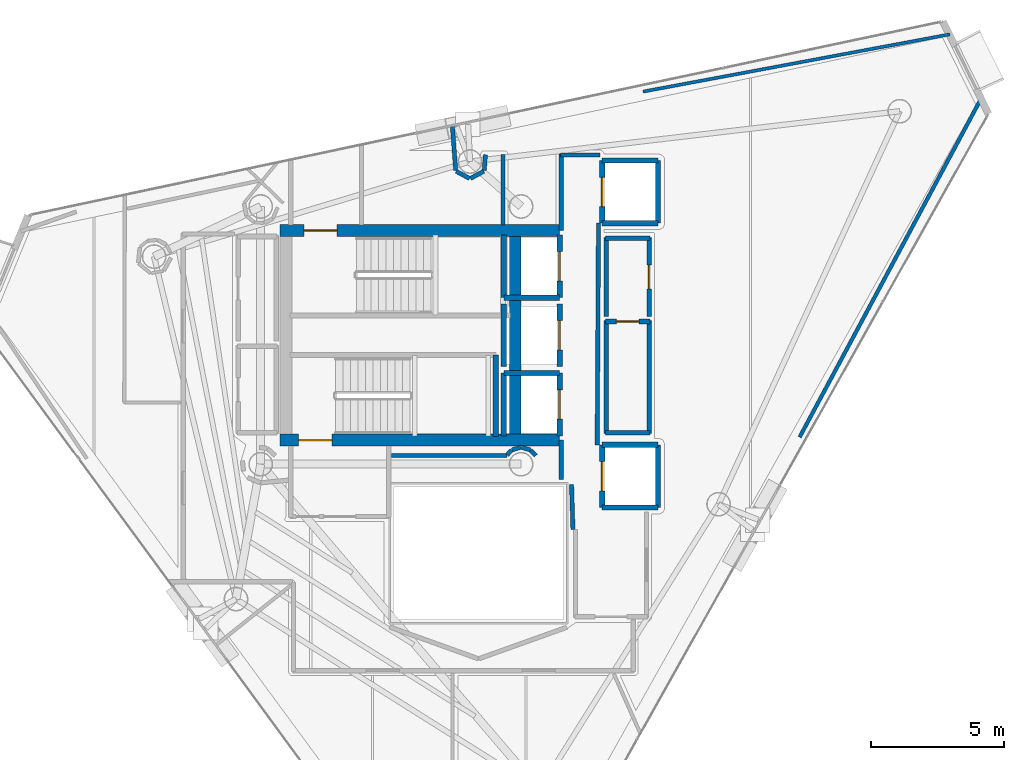
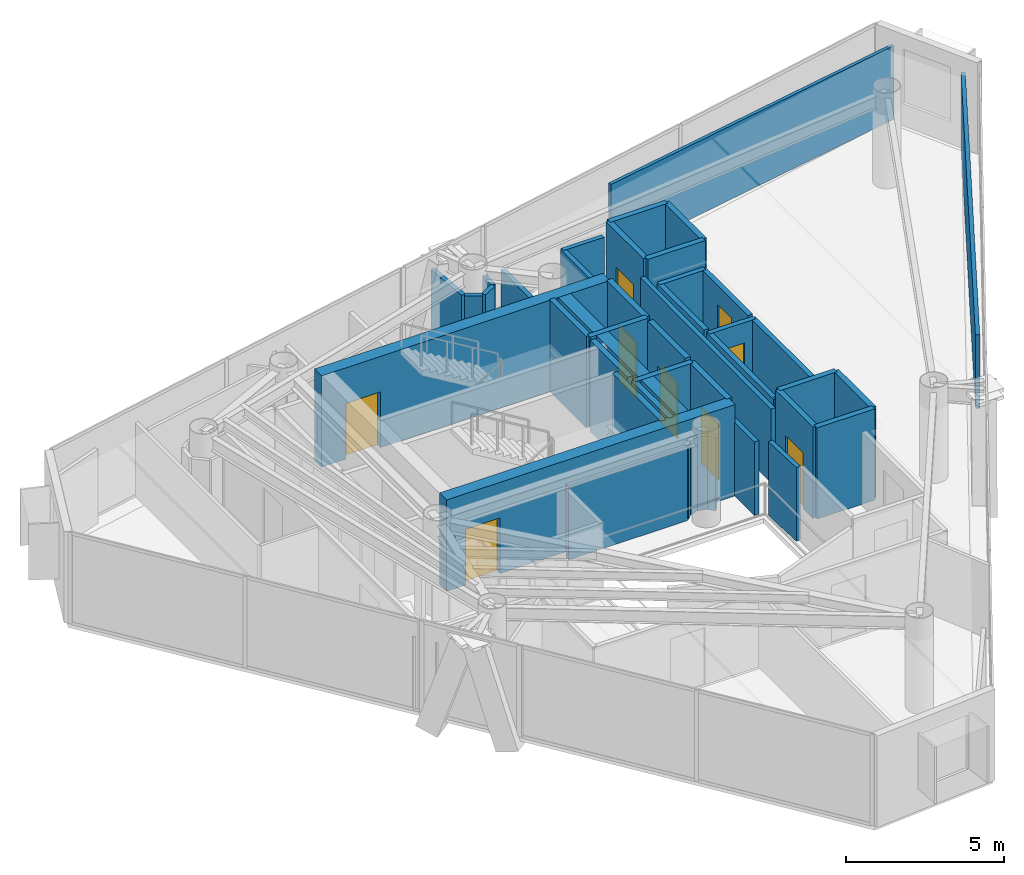
# One storey, part 18 of 21: 44 walls, 9 doors, 9 openings.
"""IFC4 building model written with IfcOpenShell, lengths in metres."""

from ifc_helpers import new_model, si_unit, direction, frame, frame_2d, origin, place, context, subcontext, project, spatial, rectangle, extrude, material, layer, layer_set, type_object, element, fill, save


model = new_model("IFC4")

# Units and contexts
model_context = context("Model", 3, precision=1e-05, world=origin(), true_north=direction((0.0, 1.0)))
body_context = subcontext(model_context, "Body", "Model", "MODEL_VIEW")
ifc_project = project(units=[si_unit("LENGTHUNIT", "METRE"), si_unit("AREAUNIT", "SQUARE_METRE"), si_unit("VOLUMEUNIT", "CUBIC_METRE"), si_unit("PLANEANGLEUNIT", "RADIAN"), si_unit("MASSUNIT", "GRAM", prefix="KILO")], contexts=[model_context])

# Site, building, storey
site_placement = place(None, origin())
site = spatial("IfcSite", under=ifc_project, at=site_placement, CompositionType="ELEMENT")
building_placement = place(site_placement, origin())
building = spatial("IfcBuilding", under=site, at=building_placement, Name="Qianvela Tower", CompositionType="ELEMENT")
storey_placement = place(building_placement, frame((0.0, 0.0, 302.800048828125)))
storey = spatial("IfcBuildingStorey", under=building, at=storey_placement, Name="L78", CompositionType="ELEMENT", Elevation=302.800048828125)

# Wall, opening, door
ifc_material_1 = material(Name="Concrete C50", Category="concrete")
ifc_layer_1 = layer(ifc_material_1, 0.449951171875)
ifc_layer_set_1 = layer_set([ifc_layer_1], Name="Concrete C50")
wall_type_1 = type_object("IfcWallType", Name="WT-CORE-450", PredefinedType="SHEAR", material=ifc_layer_set_1)
wall_1_placement = place(storey_placement, frame((29.330078125, 32.64501953125, 0.0), z_axis=(0.0, 0.0, 1.0), x_axis=(1.0, 0.0, 0.0)))
wall_1 = element("IfcWall", 1, at=wall_1_placement, inside=storey, type_object=wall_type_1, Name="L78 North Core Shear Wall", PredefinedType="SHEAR", context=body_context, shape_type="SweptSolid", body=[
    extrude(rectangle(XDim=10.52001953125, YDim=0.449951171875, at=frame_2d((5.260009765625, 0.0))), origin(), (0.0, 0.0, 1.0), 3.52001953125),
])
opening_1_placement = place(wall_1_placement, frame((0.89501953125, 0.0, 0.0)))
opening_1 = element("IfcOpeningElement", 2, at=opening_1_placement, cuts=wall_1, Name="Opening D-ST1", PredefinedType="OPENING", context=body_context, shape_type="SweptSolid", body=[
    extrude(rectangle(XDim=1.25, YDim=2.14990234375, at=frame_2d((0.625, 1.074951171875))), frame((0.0, 0.23486328125, 0.0), z_axis=(0.0, -1.0, 0.0), x_axis=(1.0, 0.0, 0.0)), (0.0, 0.0, 1.0), 0.469970703125),
])
ifc_material_2 = material(Name="Galvanised Fire Steel Q355B", Category="steel")
door_type_1 = type_object("IfcDoorType", Name="DT-STAIR-FD90", OperationType="NOTDEFINED", PredefinedType="DOOR", material=ifc_material_2)
door_1_placement = place(opening_1_placement, origin())
door_1 = element("IfcDoor", 3, at=door_1_placement, inside=storey, type_object=door_type_1, Name="L78 Stair ST-1 Exit Door", OperationType="SINGLE_SWING_RIGHT", OverallHeight=2.14990234375, OverallWidth=1.25, PredefinedType="DOOR", context=body_context, shape_type="SweptSolid", body=[
    extrude(rectangle(XDim=1.25, YDim=2.14990234375, at=frame_2d((0.625, 1.074951171875))), frame((0.0, 0.02490234375, 0.0), z_axis=(0.0, -1.0, 0.0), x_axis=(1.0, 0.0, 0.0)), (0.0, 0.0, 1.0), 0.050048828125),
])
fill(opening_1, door_1)

wall_2_placement = place(storey_placement, frame((29.330078125, 24.7548828125, 0.0), z_axis=(0.0, 0.0, 1.0), x_axis=(1.0, 0.0, 0.0)))
wall_2 = element("IfcWall", 4, at=wall_2_placement, inside=storey, type_object=wall_type_1, Name="L78 South Core Shear Wall", PredefinedType="SHEAR", context=body_context, shape_type="SweptSolid", body=[
    extrude(rectangle(XDim=10.52001953125, YDim=0.449951171875, at=frame_2d((5.260009765625, 0.0))), origin(), (0.0, 0.0, 1.0), 3.52001953125),
])
opening_2_placement = place(wall_2_placement, frame((0.695068359375, 0.0, 0.0)))
opening_2 = element("IfcOpeningElement", 5, at=opening_2_placement, cuts=wall_2, Name="Opening D-ST1", PredefinedType="OPENING", context=body_context, shape_type="SweptSolid", body=[
    extrude(rectangle(XDim=1.25, YDim=2.14990234375, at=frame_2d((0.625, 1.074951171875))), frame((0.0, 0.23486328125, 0.0), z_axis=(0.0, -1.0, 0.0), x_axis=(1.0, 0.0, 0.0)), (0.0, 0.0, 1.0), 0.469970703125),
])
door_2_placement = place(opening_2_placement, origin())
door_2 = element("IfcDoor", 6, at=door_2_placement, inside=storey, type_object=door_type_1, Name="L78 Stair ST-2 Exit Door", OperationType="SINGLE_SWING_RIGHT", OverallHeight=2.14990234375, OverallWidth=1.25, PredefinedType="DOOR", context=body_context, shape_type="SweptSolid", body=[
    extrude(rectangle(XDim=1.25, YDim=2.14990234375, at=frame_2d((0.625, 1.074951171875))), frame((0.0, 0.02490234375, 0.0), z_axis=(0.0, -1.0, 0.0), x_axis=(1.0, 0.0, 0.0)), (0.0, 0.0, 1.0), 0.050048828125),
])
fill(opening_2, door_2)

# Walls
wall_3_placement = place(storey_placement, frame((38.179931640625, 24.97998046875, 0.0), z_axis=(0.0, 0.0, 1.0), x_axis=(0.0, 1.0, 0.0)))
element("IfcWall", 7, at=wall_3_placement, inside=storey, type_object=wall_type_1, Name="L78 East Spine Core Shear Wall", PredefinedType="SHEAR", context=body_context, shape_type="SweptSolid", body=[
    extrude(rectangle(XDim=7.43994140625, YDim=0.449951171875, at=frame_2d((3.719970703125, 0.0))), origin(), (0.0, 0.0, 1.0), 3.52001953125),
])
ifc_material_3 = material(Name="Fire-Rated Gypsum and Concrete Block", Category="concrete")
ifc_layer_2 = layer(ifc_material_3, 0.159912109375)
ifc_layer_set_2 = layer_set([ifc_layer_2], Name="Fire-Rated Gypsum and Concrete Block")
wall_type_2 = type_object("IfcWallType", Name="WT-CORR-160", PredefinedType="PARTITIONING", material=ifc_layer_set_2)
wall_4_placement = place(storey_placement, frame((40.35107421875, 21.40087890625, 0.0), z_axis=(0.0, 0.0, 1.0), x_axis=(-0.031058045979, 0.999517582527, 0.0)))
element("IfcWall", 8, at=wall_4_placement, inside=storey, type_object=wall_type_2, Name="L78 Partition 10", PredefinedType="PARTITIONING", context=body_context, shape_type="SweptSolid", body=[
    extrude(rectangle(XDim=1.68212890625, YDim=0.159912109375, at=frame_2d((0.841064453125, 0.0))), origin(), (0.0, 0.0, 1.0), 2.83984375),
])
wall_5_placement = place(storey_placement, frame((39.910888671875, 23.280029296875, 0.0), z_axis=(0.0, 0.0, 1.0), x_axis=(0.0, 1.0, 0.0)))
element("IfcWall", 9, at=wall_5_placement, inside=storey, type_object=wall_type_2, Name="L78 Partition 11", PredefinedType="PARTITIONING", context=body_context, shape_type="SweptSolid", body=[
    extrude(rectangle(XDim=1.47998046875, YDim=0.159912109375, at=frame_2d((0.739990234375, 0.0))), origin(), (0.0, 0.0, 1.0), 2.83984375),
])
wall_6_placement = place(storey_placement, frame((39.910888671875, 32.639892578125, 0.0), z_axis=(0.0, 0.0, 1.0), x_axis=(0.0, 1.0, 0.0)))
element("IfcWall", 10, at=wall_6_placement, inside=storey, type_object=wall_type_2, Name="L78 Partition 13", PredefinedType="PARTITIONING", context=body_context, shape_type="SweptSolid", body=[
    extrude(rectangle(XDim=2.880126953125, YDim=0.159912109375, at=frame_2d((1.43994140625, 0.0))), origin(), (0.0, 0.0, 1.0), 2.83984375),
])
wall_7_placement = place(storey_placement, frame((39.8798828125, 35.489013671875, 0.0), z_axis=(0.0, 0.0, 1.0), x_axis=(1.0, 0.0, 0.0)))
element("IfcWall", 11, at=wall_7_placement, inside=storey, type_object=wall_type_2, Name="L78 Partition 14", PredefinedType="PARTITIONING", context=body_context, shape_type="SweptSolid", body=[
    extrude(rectangle(XDim=1.480224609375, YDim=0.159912109375, at=frame_2d((0.740234375, 0.0))), origin(), (0.0, 0.0, 1.0), 2.83984375),
])
wall_8_placement = place(storey_placement, frame((41.3134765625, 32.919921875, 0.0), z_axis=(0.0, 0.0, 1.0), x_axis=(-0.005942518022, -0.999982343084, 0.0)))
element("IfcWall", 12, at=wall_8_placement, inside=storey, type_object=wall_type_2, Name="L78 Partition 15 seg 2", PredefinedType="PARTITIONING", context=body_context, shape_type="SweptSolid", body=[
    extrude(rectangle(XDim=8.340087890625, YDim=0.159912109375, at=frame_2d((4.169921875, 0.0))), origin(), (0.0, 0.0, 1.0), 2.83984375),
])
wall_9_placement = place(storey_placement, frame((38.950927734375, 24.1708984375, 0.0), z_axis=(0.0, 0.0, 1.0), x_axis=(-0.674186852077, 0.738560822469, 0.0)))
element("IfcWall", 13, at=wall_9_placement, inside=storey, type_object=wall_type_2, Name="L78 Partition 38", PredefinedType="PARTITIONING", context=body_context, shape_type="SweptSolid", body=[
    extrude(rectangle(XDim=0.28076171875, YDim=0.159912109375, at=frame_2d((0.140380859375, 0.0))), origin(), (0.0, 0.0, 1.0), 2.83984375),
])
wall_10_placement = place(storey_placement, frame((38.747802734375, 24.386962890625, 0.0), z_axis=(0.0, 0.0, 1.0), x_axis=(-0.956948991291, 0.290256142171, 0.0)))
element("IfcWall", 14, at=wall_10_placement, inside=storey, type_object=wall_type_2, Name="L78 Partition 39", PredefinedType="PARTITIONING", context=body_context, shape_type="SweptSolid", body=[
    extrude(rectangle(XDim=0.35400390625, YDim=0.159912109375, at=frame_2d((0.177001953125, 0.0))), origin(), (0.0, 0.0, 1.0), 2.83984375),
])
wall_11_placement = place(storey_placement, frame((38.39111328125, 24.48974609375, 0.0), z_axis=(0.0, 0.0, 1.0), x_axis=(-0.957007018611, -0.290064762301, 0.0)))
element("IfcWall", 15, at=wall_11_placement, inside=storey, type_object=wall_type_2, Name="L78 Partition 40", PredefinedType="PARTITIONING", context=body_context, shape_type="SweptSolid", body=[
    extrude(rectangle(XDim=0.354248046875, YDim=0.159912109375, at=frame_2d((0.17724609375, 0.0))), origin(), (0.0, 0.0, 1.0), 2.83984375),
])
wall_12_placement = place(storey_placement, frame((38.0380859375, 24.378173828125, 0.0), z_axis=(0.0, 0.0, 1.0), x_axis=(-0.673658387955, -0.739042878551, 0.0)))
element("IfcWall", 16, at=wall_12_placement, inside=storey, type_object=wall_type_2, Name="L78 Partition 41", PredefinedType="PARTITIONING", context=body_context, shape_type="SweptSolid", body=[
    extrude(rectangle(XDim=0.246337890625, YDim=0.159912109375, at=frame_2d((0.123046875, 0.0))), origin(), (0.0, 0.0, 1.0), 2.83984375),
])
wall_13_placement = place(storey_placement, frame((37.8720703125, 24.180908203125, 0.0), z_axis=(0.0, 0.0, 1.0), x_axis=(-1.0, 0.0, 0.0)))
element("IfcWall", 17, at=wall_13_placement, inside=storey, type_object=wall_type_2, Name="L78 Partition 42", PredefinedType="PARTITIONING", context=body_context, shape_type="SweptSolid", body=[
    extrude(rectangle(XDim=4.342041015625, YDim=0.159912109375, at=frame_2d((2.1708984375, 0.0))), origin(), (0.0, 0.0, 1.0), 2.83984375),
])
wall_14_placement = place(storey_placement, frame((35.811767578125, 36.617919921875, 0.0), z_axis=(0.0, 0.0, 1.0), x_axis=(0.073354271493, -0.997305946465, 0.0)))
element("IfcWall", 18, at=wall_14_placement, inside=storey, type_object=wall_type_2, Name="L78 Partition 57", PredefinedType="PARTITIONING", context=body_context, shape_type="SweptSolid", body=[
    extrude(rectangle(XDim=1.720703125, YDim=0.159912109375, at=frame_2d((0.8603515625, 0.0))), origin(), (0.0, 0.0, 1.0), 2.83984375),
])
for number, where, z_axis, x_axis, name in (
    (19, (35.9541015625, 34.876708984375, 0.0), (0.0, 0.0, 1.0), (0.882047254832, -0.471160949405, 0.0), "L78 Partition 58"),
    (20, (36.490478515625, 34.605712890625, 0.0), (0.0, 0.0, 1.0), (0.882047254832, 0.471160949405, 0.0), "L78 Partition 59"),
):
    element("IfcWall", number, at=place(storey_placement, frame(where, z_axis=z_axis, x_axis=x_axis)), inside=storey, type_object=wall_type_2, Name=name, PredefinedType="PARTITIONING", context=body_context, shape_type="SweptSolid", body=[
        extrude(rectangle(XDim=0.5751953125, YDim=0.159912109375, at=frame_2d((0.28759765625, 0.0))), origin(), (0.0, 0.0, 1.0), 2.83984375),
    ])
wall_15_placement = place(storey_placement, frame((37.01416015625, 34.90185546875, 0.0), z_axis=(0.0, 0.0, 1.0), x_axis=(0.073134230676, 0.997322106595, 0.0)))
element("IfcWall", 21, at=wall_15_placement, inside=storey, type_object=wall_type_2, Name="L78 Partition 60", PredefinedType="PARTITIONING", context=body_context, shape_type="SweptSolid", body=[
    extrude(rectangle(XDim=0.59765625, YDim=0.159912109375, at=frame_2d((0.298828125, 0.0))), origin(), (0.0, 0.0, 1.0), 2.83984375),
])
wall_16_placement = place(storey_placement, frame((37.718994140625, 35.5, 0.0), z_axis=(0.0, 0.0, 1.0), x_axis=(0.0, -1.0, 0.0)))
element("IfcWall", 22, at=wall_16_placement, inside=storey, type_object=wall_type_2, Name="L78 Partition 62", PredefinedType="PARTITIONING", context=body_context, shape_type="SweptSolid", body=[
    extrude(rectangle(XDim=2.64208984375, YDim=0.159912109375, at=frame_2d((1.321044921875, 0.0))), origin(), (0.0, 0.0, 1.0), 2.83984375),
])
ifc_material_4 = material(Name="Insulated Gypsum Stud Partition")
ifc_layer_3 = layer(ifc_material_4, 0.1201171875)
ifc_layer_set_3 = layer_set([ifc_layer_3], Name="Insulated Gypsum Stud Partition")
wall_type_3 = type_object("IfcWallType", Name="WT-PART-120", PredefinedType="PARTITIONING", material=ifc_layer_set_3)
wall_17_placement = place(storey_placement, frame((42.98974609375, 37.873779296875, 0.0), z_axis=(0.0, 0.0, 1.0), x_axis=(0.98302594639, 0.183466587487, 0.0)))
element("IfcWall", 23, at=wall_17_placement, inside=storey, type_object=wall_type_3, Name="L78 Partition 114 seg 2", PredefinedType="PARTITIONING", context=body_context, shape_type="SweptSolid", body=[
    extrude(rectangle(XDim=11.74755859375, YDim=0.1201171875, at=frame_2d((5.873779296875, 0.0))), origin(), (0.0, 0.0, 1.0), 2.83984375),
])
ifc_material_5 = material(Name="Moisture-Resistant Acoustic Plumbing Wall")
ifc_layer_4 = layer(ifc_material_5, 0.175048828125)
ifc_layer_set_4 = layer_set([ifc_layer_4], Name="Moisture-Resistant Acoustic Plumbing Wall")
wall_type_4 = type_object("IfcWallType", Name="WT-PLUMB-175", PredefinedType="PLUMBINGWALL", material=ifc_layer_set_4)
wall_18_placement = place(storey_placement, frame((43.25, 25.031005859375, 0.0), z_axis=(0.0, 0.0, 1.0), x_axis=(-1.0, 0.0, 0.0)))
element("IfcWall", 24, at=wall_18_placement, inside=storey, type_object=wall_type_4, Name="L78 Partition 20", PredefinedType="PLUMBINGWALL", context=body_context, shape_type="SweptSolid", body=[
    extrude(rectangle(XDim=1.669921875, YDim=0.175048828125, at=frame_2d((0.8349609375, 0.0))), origin(), (0.0, 0.0, 1.0), 2.83984375),
])
wall_19_placement = place(storey_placement, frame((41.611083984375, 25.0, 0.0), z_axis=(0.0, 0.0, 1.0), x_axis=(0.0, 1.0, 0.0)))
element("IfcWall", 25, at=wall_19_placement, inside=storey, type_object=wall_type_4, Name="L78 Partition 21", PredefinedType="PLUMBINGWALL", context=body_context, shape_type="SweptSolid", body=[
    extrude(rectangle(XDim=4.25, YDim=0.175048828125, at=frame_2d((2.125, 0.0))), origin(), (0.0, 0.0, 1.0), 2.83984375),
])

# Wall, opening, door
wall_20_placement = place(storey_placement, frame((41.580078125, 29.218994140625, 0.0), z_axis=(0.0, 0.0, 1.0), x_axis=(1.0, 0.0, 0.0)))
wall_20 = element("IfcWall", 26, at=wall_20_placement, inside=storey, type_object=wall_type_4, Name="L78 Partition 22", PredefinedType="PLUMBINGWALL", context=body_context, shape_type="SweptSolid", body=[
    extrude(rectangle(XDim=1.669921875, YDim=0.175048828125, at=frame_2d((0.8349609375, 0.0))), origin(), (0.0, 0.0, 1.0), 2.83984375),
])
opening_3_placement = place(wall_20_placement, frame((0.405029296875, 0.0, 0.0)))
opening_3 = element("IfcOpeningElement", 27, at=opening_3_placement, cuts=wall_20, Name="Opening D-WC1", PredefinedType="OPENING", context=body_context, shape_type="SweptSolid", body=[
    extrude(rectangle(XDim=0.860107421875, YDim=2.050048828125, at=frame_2d((0.43017578125, 1.02490234375))), frame((0.0, 0.097412109375, 0.0), z_axis=(0.0, -1.0, 0.0), x_axis=(1.0, 0.0, 0.0)), (0.0, 0.0, 1.0), 0.195068359375),
])
ifc_material_6 = material(Name="Moisture-Sealed Acoustic Timber Door", Category="wood")
door_type_2 = type_object("IfcDoorType", Name="DT-WC-860", OperationType="NOTDEFINED", PredefinedType="DOOR", material=ifc_material_6)
door_3_placement = place(opening_3_placement, origin())
door_3 = element("IfcDoor", 28, at=door_3_placement, inside=storey, type_object=door_type_2, Name="L78 Door L78 Accessible WC to L78 Shared Tea Pantry East", OperationType="SINGLE_SWING_LEFT", OverallHeight=2.050048828125, OverallWidth=0.860107421875, PredefinedType="DOOR", context=body_context, shape_type="SweptSolid", body=[
    extrude(rectangle(XDim=0.860107421875, YDim=2.050048828125, at=frame_2d((0.43017578125, 1.02490234375))), frame((0.0, 0.02490234375, 0.0), z_axis=(0.0, -1.0, 0.0), x_axis=(1.0, 0.0, 0.0)), (0.0, 0.0, 1.0), 0.050048828125),
])
fill(opening_3, door_3)

# Walls
wall_21_placement = place(storey_placement, frame((43.218994140625, 29.25, 0.0), z_axis=(0.0, 0.0, 1.0), x_axis=(0.0, -1.0, 0.0)))
element("IfcWall", 29, at=wall_21_placement, inside=storey, type_object=wall_type_4, Name="L78 Partition 23", PredefinedType="PLUMBINGWALL", context=body_context, shape_type="SweptSolid", body=[
    extrude(rectangle(XDim=4.25, YDim=0.175048828125, at=frame_2d((2.125, 0.0))), origin(), (0.0, 0.0, 1.0), 2.83984375),
])
wall_22_placement = place(storey_placement, frame((41.611083984375, 29.409912109375, 0.0), z_axis=(0.0, 0.0, 1.0), x_axis=(0.0, 1.0, 0.0)))
element("IfcWall", 30, at=wall_22_placement, inside=storey, type_object=wall_type_4, Name="L78 Partition 25", PredefinedType="PLUMBINGWALL", context=body_context, shape_type="SweptSolid", body=[
    extrude(rectangle(XDim=2.969970703125, YDim=0.175048828125, at=frame_2d((1.48486328125, 0.0))), origin(), (0.0, 0.0, 1.0), 2.83984375),
])
wall_23_placement = place(storey_placement, frame((41.580078125, 32.34912109375, 0.0), z_axis=(0.0, 0.0, 1.0), x_axis=(1.0, 0.0, 0.0)))
element("IfcWall", 31, at=wall_23_placement, inside=storey, type_object=wall_type_4, Name="L78 Partition 26", PredefinedType="PLUMBINGWALL", context=body_context, shape_type="SweptSolid", body=[
    extrude(rectangle(XDim=1.669921875, YDim=0.175048828125, at=frame_2d((0.8349609375, 0.0))), origin(), (0.0, 0.0, 1.0), 2.83984375),
])

# Wall, opening, door
wall_24_placement = place(storey_placement, frame((43.218994140625, 32.3798828125, 0.0), z_axis=(0.0, 0.0, 1.0), x_axis=(0.0, -1.0, 0.0)))
wall_24 = element("IfcWall", 32, at=wall_24_placement, inside=storey, type_object=wall_type_4, Name="L78 Partition 27", PredefinedType="PLUMBINGWALL", context=body_context, shape_type="SweptSolid", body=[
    extrude(rectangle(XDim=2.969970703125, YDim=0.175048828125, at=frame_2d((1.48486328125, 0.0))), origin(), (0.0, 0.0, 1.0), 2.83984375),
])
opening_4_placement = place(wall_24_placement, frame((1.034912109375, 0.0, 0.0)))
opening_4 = element("IfcOpeningElement", 33, at=opening_4_placement, cuts=wall_24, Name="Opening D-KT1", PredefinedType="OPENING", context=body_context, shape_type="SweptSolid", body=[
    extrude(rectangle(XDim=0.89990234375, YDim=2.10009765625, at=frame_2d((0.449951171875, 1.050048828125))), frame((0.0, 0.097412109375, 0.0), z_axis=(0.0, -1.0, 0.0), x_axis=(1.0, 0.0, 0.0)), (0.0, 0.0, 1.0), 0.195068359375),
])
ifc_material_7 = material(Name="Glazed Timber Kitchen Door", Category="wood")
door_type_3 = type_object("IfcDoorType", Name="DT-KITCH-900", OperationType="NOTDEFINED", PredefinedType="DOOR", material=ifc_material_7)
door_4_placement = place(opening_4_placement, origin())
door_4 = element("IfcDoor", 34, at=door_4_placement, inside=storey, type_object=door_type_3, Name="L78 Door L78 Shared Tea Pantry East to Quiet Reading Study L78-04", OperationType="SINGLE_SWING_RIGHT", OverallHeight=2.10009765625, OverallWidth=0.89990234375, PredefinedType="DOOR", context=body_context, shape_type="SweptSolid", body=[
    extrude(rectangle(XDim=0.89990234375, YDim=2.10009765625, at=frame_2d((0.449951171875, 1.050048828125))), frame((0.0, 0.02490234375, 0.0), z_axis=(0.0, -1.0, 0.0), x_axis=(1.0, 0.0, 0.0)), (0.0, 0.0, 1.0), 0.050048828125),
])
fill(opening_4, door_4)

# Walls
ifc_material_8 = material(Name="Acoustic Double Gypsum Stud Partition")
ifc_layer_5 = layer(ifc_material_8, 0.139892578125)
ifc_layer_set_5 = layer_set([ifc_layer_5], Name="Acoustic Double Gypsum Stud Partition")
wall_type_5 = type_object("IfcWallType", Name="WT-ROOM-140", PredefinedType="PARTITIONING", material=ifc_layer_set_5)
wall_25_placement = place(storey_placement, frame((55.7216796875, 37.627197265625, 0.0), z_axis=(0.0, 0.0, 1.0), x_axis=(-0.472471777072, -0.881345800393, 0.0)))
element("IfcWall", 35, at=wall_25_placement, inside=storey, type_object=wall_type_5, Name="L78 Partition 116 seg 1", PredefinedType="PARTITIONING", context=body_context, shape_type="SweptSolid", body=[
    extrude(rectangle(XDim=14.476318359375, YDim=0.139892578125, at=frame_2d((7.23828125, 0.0))), origin(), (0.0, 0.0, 1.0), 2.83984375),
])
ifc_material_9 = material(Name="Concrete C50", Category="concrete")
ifc_layer_6 = layer(ifc_material_9, 0.199951171875)
ifc_layer_set_6 = layer_set([ifc_layer_6], Name="Concrete C50")
wall_type_6 = type_object("IfcWallType", Name="WT-SHAFT-200", PredefinedType="SOLIDWALL", material=ifc_layer_set_6)
wall_26_placement = place(storey_placement, frame((37.449951171875, 24.89990234375, 0.0), z_axis=(0.0, 0.0, 1.0), x_axis=(0.0, 1.0, 0.0)))
element("IfcWall", 36, at=wall_26_placement, inside=storey, type_object=wall_type_6, Name="L78 Stair ST-2 East Wall", PredefinedType="SOLIDWALL", context=body_context, shape_type="SweptSolid", body=[
    extrude(rectangle(XDim=3.06005859375, YDim=0.199951171875, at=frame_2d((1.530029296875, 0.0))), origin(), (0.0, 0.0, 1.0), 3.52001953125),
])

# Wall, opening, door
wall_27_placement = place(storey_placement, frame((39.85009765625, 30.1201171875, 0.0), z_axis=(0.0, 0.0, 1.0), x_axis=(0.0, 1.0, 0.0)))
wall_27 = element("IfcWall", 37, at=wall_27_placement, inside=storey, type_object=wall_type_6, Name="L78 Lift FL-1 E Shaft Wall", PredefinedType="SOLIDWALL", context=body_context, shape_type="SweptSolid", body=[
    extrude(rectangle(XDim=2.35986328125, YDim=0.199951171875, at=frame_2d((1.179931640625, 0.0))), origin(), (0.0, 0.0, 1.0), 3.52001953125),
])
opening_5_placement = place(wall_27_placement, frame((0.6298828125, 0.0, 0.0)))
opening_5 = element("IfcOpeningElement", 38, at=opening_5_placement, cuts=wall_27, Name="Opening LD-01", PredefinedType="OPENING", context=body_context, shape_type="SweptSolid", body=[
    extrude(rectangle(XDim=1.10009765625, YDim=2.14990234375, at=frame_2d((0.550048828125, 1.074951171875))), frame((0.0, 0.10986328125, 0.0), z_axis=(0.0, -1.0, 0.0), x_axis=(1.0, 0.0, 0.0)), (0.0, 0.0, 1.0), 0.219970703125),
])
ifc_material_10 = material(Name="Brushed Stainless Steel Lift Landing Door", Category="steel")
door_type_4 = type_object("IfcDoorType", Name="DT-LIFT-SLIDE-1100", OperationType="SLIDING_TO_LEFT", PredefinedType="DOOR", material=ifc_material_10)
door_5_placement = place(opening_5_placement, origin())
door_5 = element("IfcDoor", 39, at=door_5_placement, inside=storey, type_object=door_type_4, Name="L78 Lift FL-1 Sliding Landing Door", OperationType="SLIDING_TO_LEFT", OverallHeight=2.14990234375, OverallWidth=1.10009765625, PredefinedType="DOOR", context=body_context, shape_type="SweptSolid", body=[
    extrude(rectangle(XDim=1.10009765625, YDim=2.14990234375, at=frame_2d((0.550048828125, 1.074951171875))), frame((0.0, 0.02490234375, 0.0), z_axis=(0.0, -1.0, 0.0), x_axis=(1.0, 0.0, 0.0)), (0.0, 0.0, 1.0), 0.050048828125),
])
fill(opening_5, door_5)

# Walls
wall_28_placement = place(storey_placement, frame((37.75, 30.1201171875, 0.0), z_axis=(0.0, 0.0, 1.0), x_axis=(0.0, 1.0, 0.0)))
element("IfcWall", 40, at=wall_28_placement, inside=storey, type_object=wall_type_6, Name="L78 Lift FL-1 W Shaft Wall", PredefinedType="SOLIDWALL", context=body_context, shape_type="SweptSolid", body=[
    extrude(rectangle(XDim=2.35986328125, YDim=0.199951171875, at=frame_2d((1.179931640625, 0.0))), origin(), (0.0, 0.0, 1.0), 3.52001953125),
])
wall_29_placement = place(storey_placement, frame((37.75, 30.1201171875, 0.0), z_axis=(0.0, 0.0, 1.0), x_axis=(1.0, 0.0, 0.0)))
element("IfcWall", 41, at=wall_29_placement, inside=storey, type_object=wall_type_6, Name="L78 Lift FL-1 S Shaft Wall", PredefinedType="SOLIDWALL", context=body_context, shape_type="SweptSolid", body=[
    extrude(rectangle(XDim=2.10009765625, YDim=0.199951171875, at=frame_2d((1.050048828125, 0.0))), origin(), (0.0, 0.0, 1.0), 3.52001953125),
])

# Wall, opening, door
wall_30_placement = place(storey_placement, frame((39.85009765625, 24.919921875, 0.0), z_axis=(0.0, 0.0, 1.0), x_axis=(0.0, 1.0, 0.0)))
wall_30 = element("IfcWall", 42, at=wall_30_placement, inside=storey, type_object=wall_type_6, Name="L78 Lift FL-2 E Shaft Wall", PredefinedType="SOLIDWALL", context=body_context, shape_type="SweptSolid", body=[
    extrude(rectangle(XDim=2.360107421875, YDim=0.199951171875, at=frame_2d((1.18017578125, 0.0))), origin(), (0.0, 0.0, 1.0), 3.52001953125),
])
opening_6_placement = place(wall_30_placement, frame((0.6298828125, 0.0, 0.0)))
opening_6 = element("IfcOpeningElement", 43, at=opening_6_placement, cuts=wall_30, Name="Opening LD-01", PredefinedType="OPENING", context=body_context, shape_type="SweptSolid", body=[
    extrude(rectangle(XDim=1.10009765625, YDim=2.14990234375, at=frame_2d((0.550048828125, 1.074951171875))), frame((0.0, 0.10986328125, 0.0), z_axis=(0.0, -1.0, 0.0), x_axis=(1.0, 0.0, 0.0)), (0.0, 0.0, 1.0), 0.219970703125),
])
door_6_placement = place(opening_6_placement, origin())
door_6 = element("IfcDoor", 44, at=door_6_placement, inside=storey, type_object=door_type_4, Name="L78 Lift FL-2 Sliding Landing Door", OperationType="SLIDING_TO_LEFT", OverallHeight=2.14990234375, OverallWidth=1.10009765625, PredefinedType="DOOR", context=body_context, shape_type="SweptSolid", body=[
    extrude(rectangle(XDim=1.10009765625, YDim=2.14990234375, at=frame_2d((0.550048828125, 1.074951171875))), frame((0.0, 0.02490234375, 0.0), z_axis=(0.0, -1.0, 0.0), x_axis=(1.0, 0.0, 0.0)), (0.0, 0.0, 1.0), 0.050048828125),
])
fill(opening_6, door_6)

# Walls
wall_31_placement = place(storey_placement, frame((37.75, 24.919921875, 0.0), z_axis=(0.0, 0.0, 1.0), x_axis=(0.0, 1.0, 0.0)))
element("IfcWall", 45, at=wall_31_placement, inside=storey, type_object=wall_type_6, Name="L78 Lift FL-2 W Shaft Wall", PredefinedType="SOLIDWALL", context=body_context, shape_type="SweptSolid", body=[
    extrude(rectangle(XDim=2.360107421875, YDim=0.199951171875, at=frame_2d((1.18017578125, 0.0))), origin(), (0.0, 0.0, 1.0), 3.52001953125),
])
wall_32_placement = place(storey_placement, frame((37.75, 27.280029296875, 0.0), z_axis=(0.0, 0.0, 1.0), x_axis=(1.0, 0.0, 0.0)))
element("IfcWall", 46, at=wall_32_placement, inside=storey, type_object=wall_type_6, Name="L78 Lift FL-2 N Shaft Wall", PredefinedType="SOLIDWALL", context=body_context, shape_type="SweptSolid", body=[
    extrude(rectangle(XDim=2.10009765625, YDim=0.199951171875, at=frame_2d((1.050048828125, 0.0))), origin(), (0.0, 0.0, 1.0), 3.52001953125),
])

# Wall, opening, door
wall_33_placement = place(storey_placement, frame((39.85009765625, 27.52001953125, 0.0), z_axis=(0.0, 0.0, 1.0), x_axis=(0.0, 1.0, 0.0)))
wall_33 = element("IfcWall", 47, at=wall_33_placement, inside=storey, type_object=wall_type_6, Name="L78 Lift PL-H1 E Shaft Wall", PredefinedType="SOLIDWALL", context=body_context, shape_type="SweptSolid", body=[
    extrude(rectangle(XDim=2.35986328125, YDim=0.199951171875, at=frame_2d((1.179931640625, 0.0))), origin(), (0.0, 0.0, 1.0), 3.52001953125),
])
opening_7_placement = place(wall_33_placement, frame((0.6298828125, 0.0, 0.0)))
opening_7 = element("IfcOpeningElement", 48, at=opening_7_placement, cuts=wall_33, Name="Opening LD-01", PredefinedType="OPENING", context=body_context, shape_type="SweptSolid", body=[
    extrude(rectangle(XDim=1.10009765625, YDim=2.14990234375, at=frame_2d((0.550048828125, 1.074951171875))), frame((0.0, 0.10986328125, 0.0), z_axis=(0.0, -1.0, 0.0), x_axis=(1.0, 0.0, 0.0)), (0.0, 0.0, 1.0), 0.219970703125),
])
door_7_placement = place(opening_7_placement, origin())
door_7 = element("IfcDoor", 49, at=door_7_placement, inside=storey, type_object=door_type_4, Name="L78 Lift PL-H1 Sliding Landing Door", OperationType="SLIDING_TO_LEFT", OverallHeight=2.14990234375, OverallWidth=1.10009765625, PredefinedType="DOOR", context=body_context, shape_type="SweptSolid", body=[
    extrude(rectangle(XDim=1.10009765625, YDim=2.14990234375, at=frame_2d((0.550048828125, 1.074951171875))), frame((0.0, 0.02490234375, 0.0), z_axis=(0.0, -1.0, 0.0), x_axis=(1.0, 0.0, 0.0)), (0.0, 0.0, 1.0), 0.050048828125),
])
fill(opening_7, door_7)

# Walls
wall_34_placement = place(storey_placement, frame((37.75, 27.52001953125, 0.0), z_axis=(0.0, 0.0, 1.0), x_axis=(0.0, 1.0, 0.0)))
element("IfcWall", 50, at=wall_34_placement, inside=storey, type_object=wall_type_6, Name="L78 Lift PL-H1 W Shaft Wall", PredefinedType="SOLIDWALL", context=body_context, shape_type="SweptSolid", body=[
    extrude(rectangle(XDim=2.35986328125, YDim=0.199951171875, at=frame_2d((1.179931640625, 0.0))), origin(), (0.0, 0.0, 1.0), 3.52001953125),
])
wall_35_placement = place(storey_placement, frame((43.550048828125, 22.219970703125, 0.0), z_axis=(0.0, 0.0, 1.0), x_axis=(0.0, 1.0, 0.0)))
element("IfcWall", 51, at=wall_35_placement, inside=storey, type_object=wall_type_6, Name="L78 Lift PL-H2 E Shaft Wall", PredefinedType="SOLIDWALL", context=body_context, shape_type="SweptSolid", body=[
    extrude(rectangle(XDim=2.360107421875, YDim=0.199951171875, at=frame_2d((1.18017578125, 0.0))), origin(), (0.0, 0.0, 1.0), 3.52001953125),
])

# Wall, opening, door
wall_36_placement = place(storey_placement, frame((41.449951171875, 22.219970703125, 0.0), z_axis=(0.0, 0.0, 1.0), x_axis=(0.0, 1.0, 0.0)))
wall_36 = element("IfcWall", 52, at=wall_36_placement, inside=storey, type_object=wall_type_6, Name="L78 Lift PL-H2 W Shaft Wall", PredefinedType="SOLIDWALL", context=body_context, shape_type="SweptSolid", body=[
    extrude(rectangle(XDim=2.360107421875, YDim=0.199951171875, at=frame_2d((1.18017578125, 0.0))), origin(), (0.0, 0.0, 1.0), 3.52001953125),
])
opening_8_placement = place(wall_36_placement, frame((0.6298828125, 0.0, 0.0)))
opening_8 = element("IfcOpeningElement", 53, at=opening_8_placement, cuts=wall_36, Name="Opening LD-01", PredefinedType="OPENING", context=body_context, shape_type="SweptSolid", body=[
    extrude(rectangle(XDim=1.10009765625, YDim=2.14990234375, at=frame_2d((0.550048828125, 1.074951171875))), frame((0.0, 0.10986328125, 0.0), z_axis=(0.0, -1.0, 0.0), x_axis=(1.0, 0.0, 0.0)), (0.0, 0.0, 1.0), 0.219970703125),
])
door_8_placement = place(opening_8_placement, origin())
door_8 = element("IfcDoor", 54, at=door_8_placement, inside=storey, type_object=door_type_4, Name="L78 Lift PL-H2 Sliding Landing Door", OperationType="SLIDING_TO_LEFT", OverallHeight=2.14990234375, OverallWidth=1.10009765625, PredefinedType="DOOR", context=body_context, shape_type="SweptSolid", body=[
    extrude(rectangle(XDim=1.10009765625, YDim=2.14990234375, at=frame_2d((0.550048828125, 1.074951171875))), frame((0.0, 0.02490234375, 0.0), z_axis=(0.0, -1.0, 0.0), x_axis=(1.0, 0.0, 0.0)), (0.0, 0.0, 1.0), 0.050048828125),
])
fill(opening_8, door_8)

# Walls
for number, where, z_axis, x_axis, name in (
    (55, (41.449951171875, 24.580078125, 0.0), (0.0, 0.0, 1.0), (1.0, 0.0, 0.0), "L78 Lift PL-H2 N Shaft Wall"),
    (56, (41.449951171875, 22.219970703125, 0.0), (0.0, 0.0, 1.0), (1.0, 0.0, 0.0), "L78 Lift PL-H2 S Shaft Wall"),
):
    element("IfcWall", number, at=place(storey_placement, frame(where, z_axis=z_axis, x_axis=x_axis)), inside=storey, type_object=wall_type_6, Name=name, PredefinedType="SOLIDWALL", context=body_context, shape_type="SweptSolid", body=[
        extrude(rectangle(XDim=2.10009765625, YDim=0.199951171875, at=frame_2d((1.050048828125, 0.0))), origin(), (0.0, 0.0, 1.0), 3.52001953125),
    ])
wall_37_placement = place(storey_placement, frame((43.550048828125, 32.919921875, 0.0), z_axis=(0.0, 0.0, 1.0), x_axis=(0.0, 1.0, 0.0)))
element("IfcWall", 57, at=wall_37_placement, inside=storey, type_object=wall_type_6, Name="L78 Lift PL-H3 E Shaft Wall", PredefinedType="SOLIDWALL", context=body_context, shape_type="SweptSolid", body=[
    extrude(rectangle(XDim=2.360107421875, YDim=0.199951171875, at=frame_2d((1.18017578125, 0.0))), origin(), (0.0, 0.0, 1.0), 3.52001953125),
])

# Wall, opening, door
wall_38_placement = place(storey_placement, frame((41.449951171875, 32.919921875, 0.0), z_axis=(0.0, 0.0, 1.0), x_axis=(0.0, 1.0, 0.0)))
wall_38 = element("IfcWall", 58, at=wall_38_placement, inside=storey, type_object=wall_type_6, Name="L78 Lift PL-H3 W Shaft Wall", PredefinedType="SOLIDWALL", context=body_context, shape_type="SweptSolid", body=[
    extrude(rectangle(XDim=2.360107421875, YDim=0.199951171875, at=frame_2d((1.18017578125, 0.0))), origin(), (0.0, 0.0, 1.0), 3.52001953125),
])
opening_9_placement = place(wall_38_placement, frame((0.6298828125, 0.0, 0.0)))
opening_9 = element("IfcOpeningElement", 59, at=opening_9_placement, cuts=wall_38, Name="Opening LD-01", PredefinedType="OPENING", context=body_context, shape_type="SweptSolid", body=[
    extrude(rectangle(XDim=1.10009765625, YDim=2.14990234375, at=frame_2d((0.550048828125, 1.074951171875))), frame((0.0, 0.10986328125, 0.0), z_axis=(0.0, -1.0, 0.0), x_axis=(1.0, 0.0, 0.0)), (0.0, 0.0, 1.0), 0.219970703125),
])
door_9_placement = place(opening_9_placement, origin())
door_9 = element("IfcDoor", 60, at=door_9_placement, inside=storey, type_object=door_type_4, Name="L78 Lift PL-H3 Sliding Landing Door", OperationType="SLIDING_TO_LEFT", OverallHeight=2.14990234375, OverallWidth=1.10009765625, PredefinedType="DOOR", context=body_context, shape_type="SweptSolid", body=[
    extrude(rectangle(XDim=1.10009765625, YDim=2.14990234375, at=frame_2d((0.550048828125, 1.074951171875))), frame((0.0, 0.02490234375, 0.0), z_axis=(0.0, -1.0, 0.0), x_axis=(1.0, 0.0, 0.0)), (0.0, 0.0, 1.0), 0.050048828125),
])
fill(opening_9, door_9)

# Walls
for number, where, z_axis, x_axis, name in (
    (61, (41.449951171875, 35.280029296875, 0.0), (0.0, 0.0, 1.0), (1.0, 0.0, 0.0), "L78 Lift PL-H3 N Shaft Wall"),
    (62, (41.449951171875, 32.919921875, 0.0), (0.0, 0.0, 1.0), (1.0, 0.0, 0.0), "L78 Lift PL-H3 S Shaft Wall"),
):
    element("IfcWall", number, at=place(storey_placement, frame(where, z_axis=z_axis, x_axis=x_axis)), inside=storey, type_object=wall_type_6, Name=name, PredefinedType="SOLIDWALL", context=body_context, shape_type="SweptSolid", body=[
        extrude(rectangle(XDim=2.10009765625, YDim=0.199951171875, at=frame_2d((1.050048828125, 0.0))), origin(), (0.0, 0.0, 1.0), 3.52001953125),
    ])

save(model, "model.ifc")
